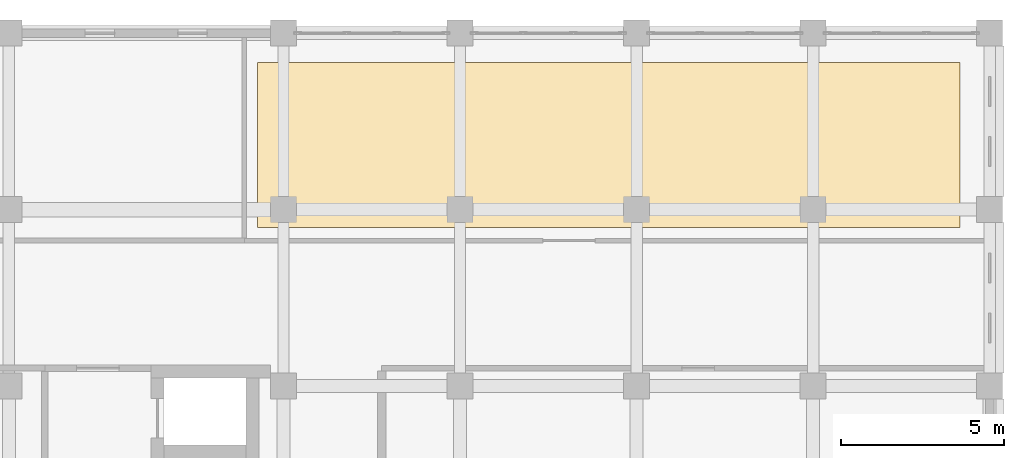
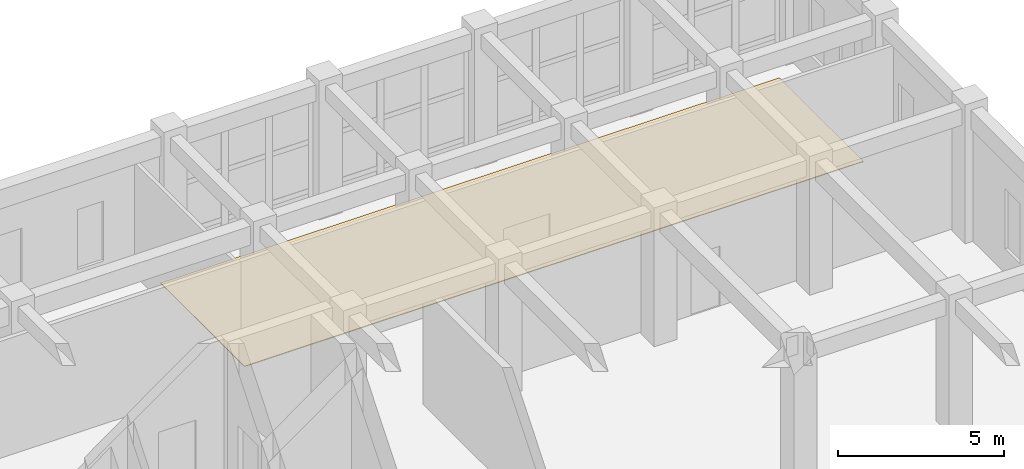
# One storey, part 77 of 77: 1 covering.
"""IFC4 building model written with IfcOpenShell, lengths in metres."""

from ifc_helpers import new_model, si_unit, direction, frame, origin, place, context, subcontext, project, spatial, polyline, outline, extrude, material, layer, layer_set, type_object, element, save


model = new_model("IFC4")

# Units and contexts
model_context = context("Model", 3, precision=1e-05, world=origin(), true_north=direction((0.0, 1.0)))
body_context = subcontext(model_context, "Body", "Model", "MODEL_VIEW")
ifc_project = project(units=[si_unit("LENGTHUNIT", "METRE"), si_unit("AREAUNIT", "SQUARE_METRE"), si_unit("VOLUMEUNIT", "CUBIC_METRE"), si_unit("PLANEANGLEUNIT", "RADIAN"), si_unit("MASSUNIT", "GRAM", prefix="KILO")], contexts=[model_context])

# Site, building, storey
site_placement = place(None, origin())
site = spatial("IfcSite", under=ifc_project, at=site_placement, CompositionType="ELEMENT")
building_placement = place(site_placement, origin())
building = spatial("IfcBuilding", under=site, at=building_placement, Name="Krzemoval Escarpment Law Courts", CompositionType="ELEMENT")
storey_placement = place(building_placement, frame((0.0, 0.0, 15.300048828125)))
storey = spatial("IfcBuildingStorey", under=building, at=storey_placement, Name="L03", CompositionType="ELEMENT", Elevation=15.300048828125)

# Covering
ifc_material = material(Name="Honed Silesian Granite Stone Flooring", Category="masonry")
ifc_layer = layer(ifc_material, 0.030029296875)
ifc_layer_set = layer_set([ifc_layer], Name="Honed Silesian Granite Stone Flooring")
covering_type = type_object("IfcCoveringType", Name="COV-FLR-STN30", PredefinedType="FLOORING", material=ifc_layer_set)
covering_placement = place(storey_placement, origin())
element("IfcCovering", 1, at=covering_placement, inside=storey, type_object=covering_type, Name="Stone Floor Finish FLR-L03-42", PredefinedType="FLOORING", context=body_context, shape_type="SweptSolid", body=[
    extrude(outline(polyline([(150.39990234375, 112.85009765625), (150.39990234375, 117.89990234375), (171.89990234375, 117.89990234375), (171.89990234375, 112.85009765625), (150.39990234375, 112.85009765625)])), origin(), (0.0, 0.0, 1.0), 0.030029296875),
])

save(model, "model.ifc")
